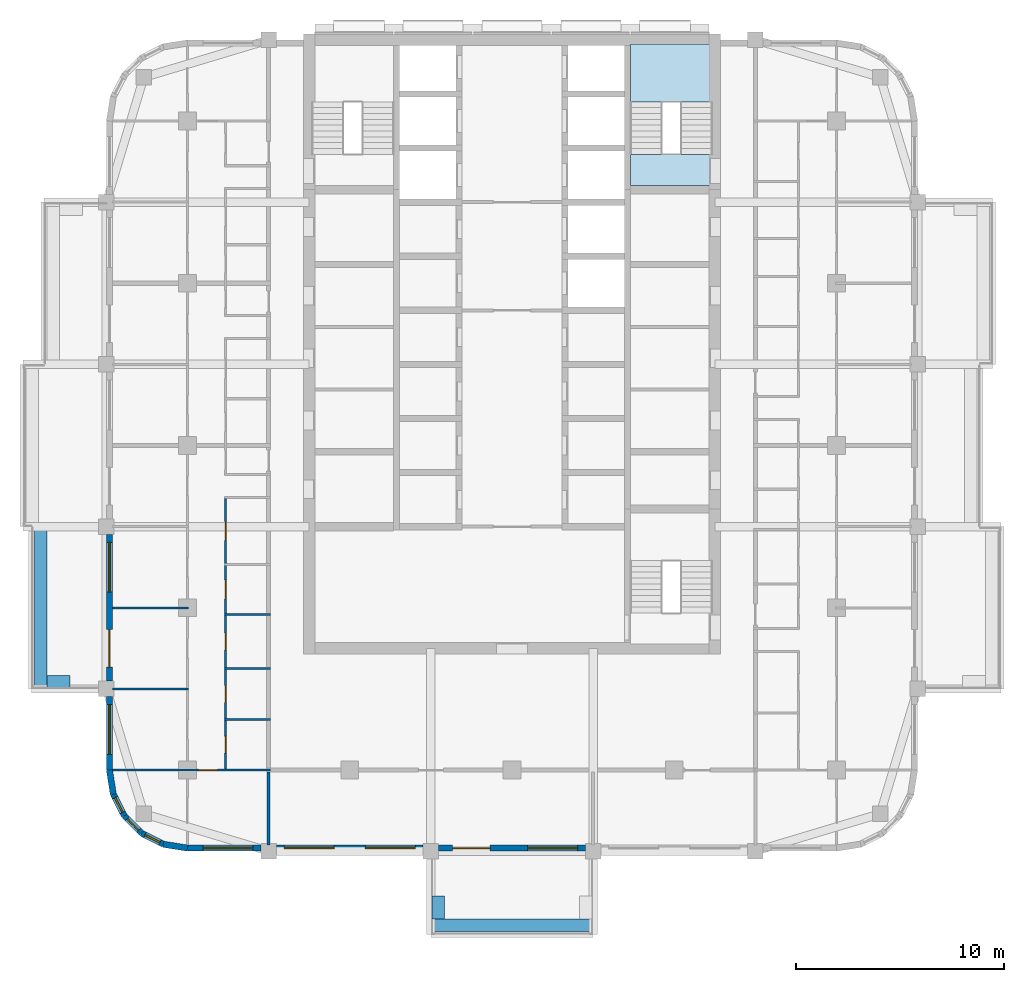
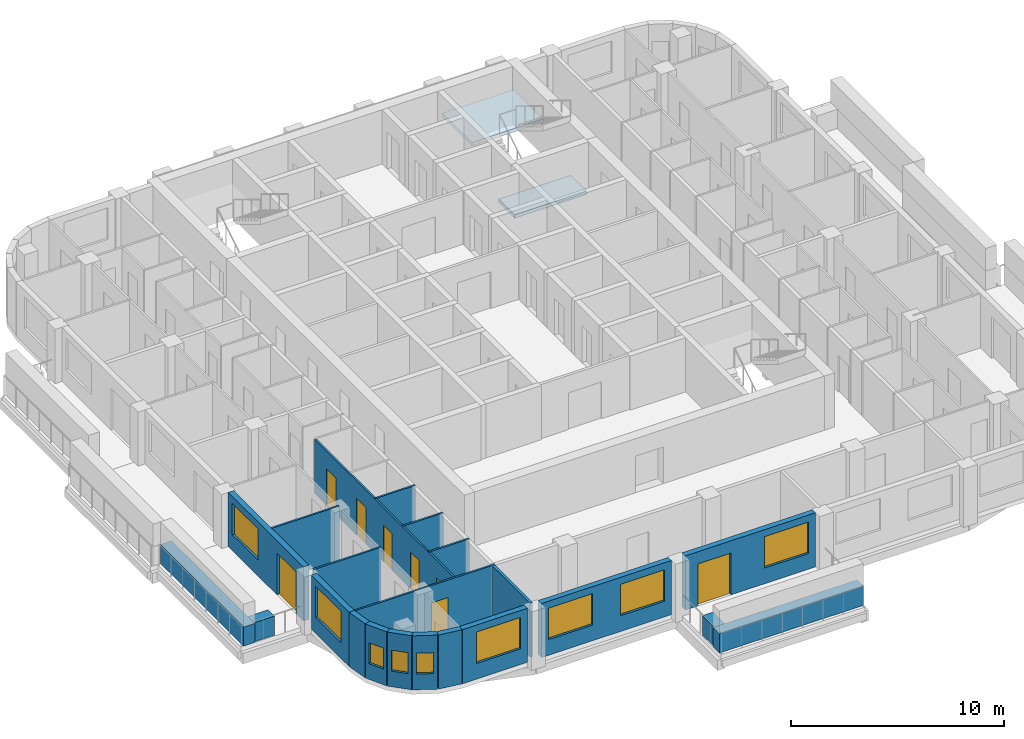
# One storey, part 2 of 13: 22 walls, 9 windows, 8 doors, 2 slabs, 17 openings, 1 element without a shape of its own.
"""IFC4 building model written with IfcOpenShell, lengths in metres."""

from ifc_helpers import new_model, si_unit, direction, frame, frame_2d, origin, place, context, subcontext, project, spatial, polyline, rectangle, outline, extrude, material, layer, layer_set, type_object, element, fill, aggregate, save


model = new_model("IFC4")

# Units and contexts
model_context = context("Model", 3, precision=1e-05, world=origin(), true_north=direction((0.0, 1.0)))
body_context = subcontext(model_context, "Body", "Model", "MODEL_VIEW")
ifc_project = project(units=[si_unit("LENGTHUNIT", "METRE"), si_unit("AREAUNIT", "SQUARE_METRE"), si_unit("VOLUMEUNIT", "CUBIC_METRE"), si_unit("PLANEANGLEUNIT", "RADIAN"), si_unit("MASSUNIT", "GRAM", prefix="KILO")], contexts=[model_context])

# Site, building, storey
site_placement = place(None, origin())
site = spatial("IfcSite", under=ifc_project, at=site_placement, CompositionType="ELEMENT")
building_placement = place(site_placement, origin())
building = spatial("IfcBuilding", under=site, at=building_placement, Name="Ludao Terraces", CompositionType="ELEMENT")
storey_placement = place(building_placement, frame((0.0, 0.0, 169.0)))
storey = spatial("IfcBuildingStorey", under=building, at=storey_placement, Name="L46", CompositionType="ELEMENT", Elevation=169.0)

# Stair, slabs
ifc_material_1 = material(Name="Concrete C40", Category="concrete")
stair_type = type_object("IfcStairType", Name="INT Stair", PredefinedType="HALF_TURN_STAIR", material=ifc_material_1)
stair_placement = place(storey_placement, origin())
stair = element("IfcStair", 1, at=stair_placement, inside=storey, type_object=stair_type, Name="EXIT STAIR 2", PredefinedType="HALF_TURN_STAIR")
ifc_layer_1 = layer(ifc_material_1, 0.199951171875)
ifc_layer_set_1 = layer_set([ifc_layer_1], Name="INT Stair landing 200")
slab_type = type_object("IfcSlabType", Name="INT Stair landing 200", PredefinedType="LANDING", material=ifc_layer_set_1)
slab_1_placement = place(storey_placement, frame((0.0, 0.0, 1.5)))
slab_1 = element("IfcSlab", 2, at=slab_1_placement, type_object=slab_type, Name="ST2 landing 1", PredefinedType="LANDING", context=body_context, shape_type="SweptSolid", body=[
    extrude(outline(polyline([(90.699951171875, 81.52001953125), (94.60009765625, 81.52001953125), (94.60009765625, 84.300048828125), (90.699951171875, 84.300048828125), (90.699951171875, 81.52001953125)])), origin(), (0.0, 0.0, 1.0), 0.199951171875),
])
slab_2_placement = place(storey_placement, frame((0.0, 0.0, -0.199951171875)))
slab_2 = element("IfcSlab", 3, at=slab_2_placement, type_object=slab_type, Name="ST2 landing 2", PredefinedType="LANDING", context=body_context, shape_type="SweptSolid", body=[
    extrude(outline(polyline([(90.699951171875, 77.5), (94.60009765625, 77.5), (94.60009765625, 79.0), (90.699951171875, 79.0), (90.699951171875, 77.5)])), origin(), (0.0, 0.0, 1.0), 0.199951171875),
])
aggregate(stair, [slab_1, slab_2])

# Walls
ifc_layer_2 = layer(ifc_material_1, 0.60009765625)
ifc_layer_set_2 = layer_set([ifc_layer_2], Name="ENV Planter trough 600")
wall_type_1 = type_object("IfcWallType", Name="ENV Planter trough 600", PredefinedType="USERDEFINED", material=ifc_layer_set_2)
wall_1_placement = place(storey_placement, frame((81.10009765625, 41.949951171875, 0.0), z_axis=(0.0, 0.0, 1.0), x_axis=(1.0, 0.0, 0.0)))
element("IfcWall", 4, at=wall_1_placement, inside=storey, type_object=wall_type_1, Name="PL-L46-S1", ObjectType="PLANTER", PredefinedType="USERDEFINED", context=body_context, shape_type="SweptSolid", body=[
    extrude(rectangle(XDim=7.7998046875, YDim=0.60009765625, at=frame_2d((3.89990234375, 0.0))), origin(), (0.0, 0.0, 1.0), 1.10009765625),
])
wall_2_placement = place(storey_placement, frame((81.449951171875, 42.25, 0.0), z_axis=(0.0, 0.0, 1.0), x_axis=(0.0, 1.0, 0.0)))
element("IfcWall", 5, at=wall_2_placement, inside=storey, type_object=wall_type_1, Name="PL-L46-S1-SA", ObjectType="PLANTER", PredefinedType="USERDEFINED", context=body_context, shape_type="SweptSolid", body=[
    extrude(rectangle(XDim=1.10009765625, YDim=0.60009765625, at=frame_2d((0.550048828125, 0.0))), origin(), (0.0, 0.0, 1.0), 1.10009765625),
])
wall_3_placement = place(storey_placement, frame((62.35009765625, 53.300048828125, 0.0), z_axis=(0.0, 0.0, 1.0), x_axis=(0.0, 1.0, 0.0)))
element("IfcWall", 6, at=wall_3_placement, inside=storey, type_object=wall_type_1, Name="PL-L46-W1", ObjectType="PLANTER", PredefinedType="USERDEFINED", context=body_context, shape_type="SweptSolid", body=[
    extrude(rectangle(XDim=7.800048828125, YDim=0.60009765625, at=frame_2d((3.89990234375, 0.0))), origin(), (0.0, 0.0, 1.0), 1.10009765625),
])
wall_4_placement = place(storey_placement, frame((62.64990234375, 53.64990234375, 0.0), z_axis=(0.0, 0.0, 1.0), x_axis=(1.0, 0.0, 0.0)))
element("IfcWall", 7, at=wall_4_placement, inside=storey, type_object=wall_type_1, Name="PL-L46-W1-SA", ObjectType="PLANTER", PredefinedType="USERDEFINED", context=body_context, shape_type="SweptSolid", body=[
    extrude(rectangle(XDim=1.10009765625, YDim=0.60009765625, at=frame_2d((0.550048828125, 0.0))), origin(), (0.0, 0.0, 1.0), 1.10009765625),
])

# Wall, opening, window
ifc_material_2 = material(Name="Granite cladding", Category="masonry")
ifc_layer_3 = layer(ifc_material_2, 0.0400390625, Category="stone")
ifc_material_3 = material(Name="Mineral wool")
ifc_layer_4 = layer(ifc_material_3, 0.06005859375)
ifc_layer_5 = layer(ifc_material_1, 0.199951171875, Category="concrete")
ifc_layer_set_3 = layer_set([ifc_layer_3, ifc_layer_4, ifc_layer_5], Name="ENV Stone-clad wall 300")
wall_type_2 = type_object("IfcWallType", Name="ENV Stone-clad wall 300", PredefinedType="SOLIDWALL", material=ifc_layer_set_3)
wall_5_placement = place(storey_placement, frame((69.39990234375, 45.64990234375, 0.0), z_axis=(0.0, 0.0, 1.0), x_axis=(1.0, 0.0, 0.0)))
wall_5 = element("IfcWall", 8, at=wall_5_placement, inside=storey, type_object=wall_type_2, Name="EW-L46-S1", PredefinedType="SOLIDWALL", context=body_context, shape_type="SweptSolid", body=[
    extrude(rectangle(XDim=3.525146484375, YDim=0.300048828125, at=frame_2d((1.7626953125, 0.0))), origin(), (0.0, 0.0, 1.0), 3.10009765625),
])
opening_1_placement = place(wall_5_placement, frame((0.75, 0.0, 0.89990234375)))
opening_1 = element("IfcOpeningElement", 9, at=opening_1_placement, cuts=wall_5, Name="Opening W1", PredefinedType="OPENING", context=body_context, shape_type="SweptSolid", body=[
    extrude(rectangle(XDim=2.39990234375, YDim=1.800048828125, at=frame_2d((1.199951171875, 0.89990234375))), frame((0.0, 0.16015625, 0.0), z_axis=(0.0, -1.0, 0.0), x_axis=(1.0, 0.0, 0.0)), (0.0, 0.0, 1.0), 0.320068359375),
])
ifc_material_4 = material(Name="Clear glass in aluminium frame", Category="aluminium")
ifc_layer_6 = layer(ifc_material_4, 0.06005859375)
ifc_layer_set_4 = layer_set([ifc_layer_6], Name="ENV Window W1 2400x1800")
window_type_1 = type_object("IfcWindowType", Name="ENV Window W1 2400x1800", PartitioningType="DOUBLE_PANEL_VERTICAL", PredefinedType="WINDOW", material=ifc_layer_set_4)
window_1_placement = place(opening_1_placement, origin())
window_1 = element("IfcWindow", 10, at=window_1_placement, inside=storey, type_object=window_type_1, Name="W-L46-S1-1", OverallHeight=1.800048828125, OverallWidth=2.39990234375, PartitioningType="DOUBLE_PANEL_VERTICAL", PredefinedType="WINDOW", context=body_context, shape_type="SweptSolid", body=[
    extrude(rectangle(XDim=2.39990234375, YDim=1.800048828125, at=frame_2d((1.199951171875, 0.89990234375))), frame((0.0, 0.030029296875, 0.0), z_axis=(0.0, -1.0, 0.0), x_axis=(1.0, 0.0, 0.0)), (0.0, 0.0, 1.0), 0.06005859375),
])
fill(opening_1, window_1)

# Wall, openings, windows
wall_6_placement = place(storey_placement, frame((73.675048828125, 45.64990234375, 0.0), z_axis=(0.0, 0.0, 1.0), x_axis=(1.0, 0.0, 0.0)))
wall_6 = element("IfcWall", 11, at=wall_6_placement, inside=storey, type_object=wall_type_2, Name="EW-L46-S2", PredefinedType="SOLIDWALL", context=body_context, shape_type="SweptSolid", body=[
    extrude(rectangle(XDim=7.050048828125, YDim=0.300048828125, at=frame_2d((3.52490234375, 0.0))), origin(), (0.0, 0.0, 1.0), 3.10009765625),
])
opening_2_placement = place(wall_6_placement, frame((0.375, 0.0, 0.89990234375)))
opening_2 = element("IfcOpeningElement", 12, at=opening_2_placement, cuts=wall_6, Name="Opening W1", PredefinedType="OPENING", context=body_context, shape_type="SweptSolid", body=[
    extrude(rectangle(XDim=2.39990234375, YDim=1.800048828125, at=frame_2d((1.199951171875, 0.89990234375))), frame((0.0, 0.16015625, 0.0), z_axis=(0.0, -1.0, 0.0), x_axis=(1.0, 0.0, 0.0)), (0.0, 0.0, 1.0), 0.320068359375),
])
opening_3_placement = place(wall_6_placement, frame((4.27490234375, 0.0, 0.89990234375)))
opening_3 = element("IfcOpeningElement", 13, at=opening_3_placement, cuts=wall_6, Name="Opening W1", PredefinedType="OPENING", context=body_context, shape_type="SweptSolid", body=[
    extrude(rectangle(XDim=2.39990234375, YDim=1.800048828125, at=frame_2d((1.199951171875, 0.89990234375))), frame((0.0, 0.16015625, 0.0), z_axis=(0.0, -1.0, 0.0), x_axis=(1.0, 0.0, 0.0)), (0.0, 0.0, 1.0), 0.320068359375),
])
window_2_placement = place(opening_2_placement, origin())
window_2 = element("IfcWindow", 14, at=window_2_placement, inside=storey, type_object=window_type_1, Name="W-L46-S2-1", OverallHeight=1.800048828125, OverallWidth=2.39990234375, PartitioningType="DOUBLE_PANEL_VERTICAL", PredefinedType="WINDOW", context=body_context, shape_type="SweptSolid", body=[
    extrude(rectangle(XDim=2.39990234375, YDim=1.800048828125, at=frame_2d((1.199951171875, 0.89990234375))), frame((0.0, 0.030029296875, 0.0), z_axis=(0.0, -1.0, 0.0), x_axis=(1.0, 0.0, 0.0)), (0.0, 0.0, 1.0), 0.06005859375),
])
fill(opening_2, window_2)
window_3_placement = place(opening_3_placement, origin())
window_3 = element("IfcWindow", 15, at=window_3_placement, inside=storey, type_object=window_type_1, Name="W-L46-S2-2", OverallHeight=1.800048828125, OverallWidth=2.39990234375, PartitioningType="DOUBLE_PANEL_VERTICAL", PredefinedType="WINDOW", context=body_context, shape_type="SweptSolid", body=[
    extrude(rectangle(XDim=2.39990234375, YDim=1.800048828125, at=frame_2d((1.199951171875, 0.89990234375))), frame((0.0, 0.030029296875, 0.0), z_axis=(0.0, -1.0, 0.0), x_axis=(1.0, 0.0, 0.0)), (0.0, 0.0, 1.0), 0.06005859375),
])
fill(opening_3, window_3)

# Wall, openings, door, window
wall_7_placement = place(storey_placement, frame((81.47509765625, 45.64990234375, 0.0), z_axis=(0.0, 0.0, 1.0), x_axis=(1.0, 0.0, 0.0)))
wall_7 = element("IfcWall", 16, at=wall_7_placement, inside=storey, type_object=wall_type_2, Name="EW-L46-S3", PredefinedType="SOLIDWALL", context=body_context, shape_type="SweptSolid", body=[
    extrude(rectangle(XDim=7.0498046875, YDim=0.300048828125, at=frame_2d((3.52490234375, 0.0))), origin(), (0.0, 0.0, 1.0), 3.10009765625),
])
opening_4_placement = place(wall_7_placement, frame((0.675048828125, 0.0, 0.0)))
opening_4 = element("IfcOpeningElement", 17, at=opening_4_placement, cuts=wall_7, Name="Opening BD", PredefinedType="OPENING", context=body_context, shape_type="SweptSolid", body=[
    extrude(rectangle(XDim=1.800048828125, YDim=2.39990234375, at=frame_2d((0.89990234375, 1.199951171875))), frame((0.0, 0.16015625, 0.0), z_axis=(0.0, -1.0, 0.0), x_axis=(1.0, 0.0, 0.0)), (0.0, 0.0, 1.0), 0.320068359375),
])
opening_5_placement = place(wall_7_placement, frame((4.27490234375, 0.0, 0.89990234375)))
opening_5 = element("IfcOpeningElement", 18, at=opening_5_placement, cuts=wall_7, Name="Opening W1", PredefinedType="OPENING", context=body_context, shape_type="SweptSolid", body=[
    extrude(rectangle(XDim=2.39990234375, YDim=1.800048828125, at=frame_2d((1.199951171875, 0.89990234375))), frame((0.0, 0.16015625, 0.0), z_axis=(0.0, -1.0, 0.0), x_axis=(1.0, 0.0, 0.0)), (0.0, 0.0, 1.0), 0.320068359375),
])
ifc_material_5 = material(Name="Aluminium glazed door", Category="aluminium")
ifc_layer_7 = layer(ifc_material_5, 0.06005859375)
ifc_layer_set_5 = layer_set([ifc_layer_7], Name="ENV Balcony door BD 1800x2400")
door_type_1 = type_object("IfcDoorType", Name="ENV Balcony door BD 1800x2400", OperationType="DOUBLE_DOOR_SINGLE_SWING", PredefinedType="DOOR", material=ifc_layer_set_5)
door_1_placement = place(opening_4_placement, origin())
door_1 = element("IfcDoor", 19, at=door_1_placement, inside=storey, type_object=door_type_1, Name="BD-L46-S3-1", OperationType="DOUBLE_DOOR_SINGLE_SWING", OverallHeight=2.39990234375, OverallWidth=1.800048828125, PredefinedType="DOOR", context=body_context, shape_type="SweptSolid", body=[
    extrude(rectangle(XDim=1.800048828125, YDim=2.39990234375, at=frame_2d((0.89990234375, 1.199951171875))), frame((0.0, 0.02490234375, 0.0), z_axis=(0.0, -1.0, 0.0), x_axis=(1.0, 0.0, 0.0)), (0.0, 0.0, 1.0), 0.050048828125),
])
fill(opening_4, door_1)
window_4_placement = place(opening_5_placement, origin())
window_4 = element("IfcWindow", 20, at=window_4_placement, inside=storey, type_object=window_type_1, Name="W-L46-S3-2", OverallHeight=1.800048828125, OverallWidth=2.39990234375, PartitioningType="DOUBLE_PANEL_VERTICAL", PredefinedType="WINDOW", context=body_context, shape_type="SweptSolid", body=[
    extrude(rectangle(XDim=2.39990234375, YDim=1.800048828125, at=frame_2d((1.199951171875, 0.89990234375))), frame((0.0, 0.030029296875, 0.0), z_axis=(0.0, -1.0, 0.0), x_axis=(1.0, 0.0, 0.0)), (0.0, 0.0, 1.0), 0.06005859375),
])
fill(opening_5, window_4)

# Wall, opening, window
wall_8_placement = place(storey_placement, frame((65.64990234375, 49.39990234375, 0.0), z_axis=(0.0, 0.0, 1.0), x_axis=(0.0, 1.0, 0.0)))
wall_8 = element("IfcWall", 21, at=wall_8_placement, inside=storey, type_object=wall_type_2, Name="EW-L46-W1", PredefinedType="SOLIDWALL", context=body_context, shape_type="SweptSolid", body=[
    extrude(rectangle(XDim=3.525146484375, YDim=0.300048828125, at=frame_2d((1.7626953125, 0.0))), origin(), (0.0, 0.0, 1.0), 3.10009765625),
])
opening_6_placement = place(wall_8_placement, frame((0.75, 0.0, 0.89990234375)))
opening_6 = element("IfcOpeningElement", 22, at=opening_6_placement, cuts=wall_8, Name="Opening W1", PredefinedType="OPENING", context=body_context, shape_type="SweptSolid", body=[
    extrude(rectangle(XDim=2.39990234375, YDim=1.800048828125, at=frame_2d((1.199951171875, 0.89990234375))), frame((0.0, 0.16015625, 0.0), z_axis=(0.0, -1.0, 0.0), x_axis=(1.0, 0.0, 0.0)), (0.0, 0.0, 1.0), 0.320068359375),
])
window_5_placement = place(opening_6_placement, origin())
window_5 = element("IfcWindow", 23, at=window_5_placement, inside=storey, type_object=window_type_1, Name="W-L46-W1-1", OverallHeight=1.800048828125, OverallWidth=2.39990234375, PartitioningType="DOUBLE_PANEL_VERTICAL", PredefinedType="WINDOW", context=body_context, shape_type="SweptSolid", body=[
    extrude(rectangle(XDim=2.39990234375, YDim=1.800048828125, at=frame_2d((1.199951171875, 0.89990234375))), frame((0.0, 0.030029296875, 0.0), z_axis=(0.0, -1.0, 0.0), x_axis=(1.0, 0.0, 0.0)), (0.0, 0.0, 1.0), 0.06005859375),
])
fill(opening_6, window_5)

# Wall, openings, door, window
wall_9_placement = place(storey_placement, frame((65.64990234375, 53.675048828125, 0.0), z_axis=(0.0, 0.0, 1.0), x_axis=(0.0, 1.0, 0.0)))
wall_9 = element("IfcWall", 24, at=wall_9_placement, inside=storey, type_object=wall_type_2, Name="EW-L46-W2", PredefinedType="SOLIDWALL", context=body_context, shape_type="SweptSolid", body=[
    extrude(rectangle(XDim=7.050048828125, YDim=0.300048828125, at=frame_2d((3.52490234375, 0.0))), origin(), (0.0, 0.0, 1.0), 3.10009765625),
])
opening_7_placement = place(wall_9_placement, frame((0.675048828125, 0.0, 0.0)))
opening_7 = element("IfcOpeningElement", 25, at=opening_7_placement, cuts=wall_9, Name="Opening BD", PredefinedType="OPENING", context=body_context, shape_type="SweptSolid", body=[
    extrude(rectangle(XDim=1.800048828125, YDim=2.39990234375, at=frame_2d((0.89990234375, 1.199951171875))), frame((0.0, 0.16015625, 0.0), z_axis=(0.0, -1.0, 0.0), x_axis=(1.0, 0.0, 0.0)), (0.0, 0.0, 1.0), 0.320068359375),
])
opening_8_placement = place(wall_9_placement, frame((4.27490234375, 0.0, 0.89990234375)))
opening_8 = element("IfcOpeningElement", 26, at=opening_8_placement, cuts=wall_9, Name="Opening W1", PredefinedType="OPENING", context=body_context, shape_type="SweptSolid", body=[
    extrude(rectangle(XDim=2.39990234375, YDim=1.800048828125, at=frame_2d((1.199951171875, 0.89990234375))), frame((0.0, 0.16015625, 0.0), z_axis=(0.0, -1.0, 0.0), x_axis=(1.0, 0.0, 0.0)), (0.0, 0.0, 1.0), 0.320068359375),
])
door_2_placement = place(opening_7_placement, origin())
door_2 = element("IfcDoor", 27, at=door_2_placement, inside=storey, type_object=door_type_1, Name="BD-L46-W2-1", OperationType="DOUBLE_DOOR_SINGLE_SWING", OverallHeight=2.39990234375, OverallWidth=1.800048828125, PredefinedType="DOOR", context=body_context, shape_type="SweptSolid", body=[
    extrude(rectangle(XDim=1.800048828125, YDim=2.39990234375, at=frame_2d((0.89990234375, 1.199951171875))), frame((0.0, 0.02490234375, 0.0), z_axis=(0.0, -1.0, 0.0), x_axis=(1.0, 0.0, 0.0)), (0.0, 0.0, 1.0), 0.050048828125),
])
fill(opening_7, door_2)
window_6_placement = place(opening_8_placement, origin())
window_6 = element("IfcWindow", 28, at=window_6_placement, inside=storey, type_object=window_type_1, Name="W-L46-W2-2", OverallHeight=1.800048828125, OverallWidth=2.39990234375, PartitioningType="DOUBLE_PANEL_VERTICAL", PredefinedType="WINDOW", context=body_context, shape_type="SweptSolid", body=[
    extrude(rectangle(XDim=2.39990234375, YDim=1.800048828125, at=frame_2d((1.199951171875, 0.89990234375))), frame((0.0, 0.030029296875, 0.0), z_axis=(0.0, -1.0, 0.0), x_axis=(1.0, 0.0, 0.0)), (0.0, 0.0, 1.0), 0.06005859375),
])
fill(opening_8, window_6)

# Wall
wall_10_placement = place(storey_placement, frame((65.64990234375, 49.39990234375, 0.0), z_axis=(0.0, 0.0, 1.0), x_axis=(0.156496880861, -0.987678452879, 0.0)))
element("IfcWall", 29, at=wall_10_placement, inside=storey, type_object=wall_type_2, Name="EW-L46-SW1", PredefinedType="SOLIDWALL", context=body_context, shape_type="SweptSolid", body=[
    extrude(rectangle(XDim=1.173095703125, YDim=0.300048828125, at=frame_2d((0.58642578125, 0.0))), origin(), (0.0, 0.0, 1.0), 3.10009765625),
])

# Wall, opening, window
wall_11_placement = place(storey_placement, frame((65.83349609375, 48.2412109375, 0.0), z_axis=(0.0, 0.0, 1.0), x_axis=(0.454025524128, -0.890988677504, 0.0)))
wall_11 = element("IfcWall", 30, at=wall_11_placement, inside=storey, type_object=wall_type_2, Name="EW-L46-SW2", PredefinedType="SOLIDWALL", context=body_context, shape_type="SweptSolid", body=[
    extrude(rectangle(XDim=1.17333984375, YDim=0.300048828125, at=frame_2d((0.586669921875, 0.0))), origin(), (0.0, 0.0, 1.0), 3.10009765625),
])
opening_9_placement = place(wall_11_placement, frame((0.1865234375, 0.0, 0.89990234375)))
opening_9 = element("IfcOpeningElement", 31, at=opening_9_placement, cuts=wall_11, Name="Opening W3", PredefinedType="OPENING", context=body_context, shape_type="SweptSolid", body=[
    extrude(rectangle(XDim=0.800048828125, YDim=1.199951171875, at=frame_2d((0.39990234375, 0.60009765625))), frame((0.0, 0.16015625, 0.0), z_axis=(0.0, -1.0, 0.0), x_axis=(1.0, 0.0, 0.0)), (0.0, 0.0, 1.0), 0.320068359375),
])
ifc_layer_8 = layer(ifc_material_4, 0.06005859375)
ifc_layer_set_6 = layer_set([ifc_layer_8], Name="ENV Window W3 800x1200")
window_type_2 = type_object("IfcWindowType", Name="ENV Window W3 800x1200", PartitioningType="SINGLE_PANEL", PredefinedType="WINDOW", material=ifc_layer_set_6)
window_7_placement = place(opening_9_placement, origin())
window_7 = element("IfcWindow", 32, at=window_7_placement, inside=storey, type_object=window_type_2, Name="W-L46-SW2", OverallHeight=1.199951171875, OverallWidth=0.800048828125, PartitioningType="SINGLE_PANEL", PredefinedType="WINDOW", context=body_context, shape_type="SweptSolid", body=[
    extrude(rectangle(XDim=0.800048828125, YDim=1.199951171875, at=frame_2d((0.39990234375, 0.60009765625))), frame((0.0, 0.030029296875, 0.0), z_axis=(0.0, -1.0, 0.0), x_axis=(1.0, 0.0, 0.0)), (0.0, 0.0, 1.0), 0.06005859375),
])
fill(opening_9, window_7)

wall_12_placement = place(storey_placement, frame((66.3662109375, 47.19580078125, 0.0), z_axis=(0.0, 0.0, 1.0), x_axis=(0.707106781187, -0.707106781187, 0.0)))
wall_12 = element("IfcWall", 33, at=wall_12_placement, inside=storey, type_object=wall_type_2, Name="EW-L46-SW3", PredefinedType="SOLIDWALL", context=body_context, shape_type="SweptSolid", body=[
    extrude(rectangle(XDim=1.173095703125, YDim=0.300048828125, at=frame_2d((0.58642578125, 0.0))), origin(), (0.0, 0.0, 1.0), 3.10009765625),
])
opening_10_placement = place(wall_12_placement, frame((0.1865234375, 0.0, 0.89990234375)))
opening_10 = element("IfcOpeningElement", 34, at=opening_10_placement, cuts=wall_12, Name="Opening W3", PredefinedType="OPENING", context=body_context, shape_type="SweptSolid", body=[
    extrude(rectangle(XDim=0.800048828125, YDim=1.199951171875, at=frame_2d((0.39990234375, 0.60009765625))), frame((0.0, 0.16015625, 0.0), z_axis=(0.0, -1.0, 0.0), x_axis=(1.0, 0.0, 0.0)), (0.0, 0.0, 1.0), 0.320068359375),
])
window_8_placement = place(opening_10_placement, origin())
window_8 = element("IfcWindow", 35, at=window_8_placement, inside=storey, type_object=window_type_2, Name="W-L46-SW3", OverallHeight=1.199951171875, OverallWidth=0.800048828125, PartitioningType="SINGLE_PANEL", PredefinedType="WINDOW", context=body_context, shape_type="SweptSolid", body=[
    extrude(rectangle(XDim=0.800048828125, YDim=1.199951171875, at=frame_2d((0.39990234375, 0.60009765625))), frame((0.0, 0.030029296875, 0.0), z_axis=(0.0, -1.0, 0.0), x_axis=(1.0, 0.0, 0.0)), (0.0, 0.0, 1.0), 0.06005859375),
])
fill(opening_10, window_8)

wall_13_placement = place(storey_placement, frame((67.19580078125, 46.3662109375, 0.0), z_axis=(0.0, 0.0, 1.0), x_axis=(0.890988677504, -0.454025524128, 0.0)))
wall_13 = element("IfcWall", 36, at=wall_13_placement, inside=storey, type_object=wall_type_2, Name="EW-L46-SW4", PredefinedType="SOLIDWALL", context=body_context, shape_type="SweptSolid", body=[
    extrude(rectangle(XDim=1.17333984375, YDim=0.300048828125, at=frame_2d((0.586669921875, 0.0))), origin(), (0.0, 0.0, 1.0), 3.10009765625),
])
opening_11_placement = place(wall_13_placement, frame((0.1865234375, 0.0, 0.89990234375)))
opening_11 = element("IfcOpeningElement", 37, at=opening_11_placement, cuts=wall_13, Name="Opening W3", PredefinedType="OPENING", context=body_context, shape_type="SweptSolid", body=[
    extrude(rectangle(XDim=0.800048828125, YDim=1.199951171875, at=frame_2d((0.39990234375, 0.60009765625))), frame((0.0, 0.16015625, 0.0), z_axis=(0.0, -1.0, 0.0), x_axis=(1.0, 0.0, 0.0)), (0.0, 0.0, 1.0), 0.320068359375),
])
window_9_placement = place(opening_11_placement, origin())
window_9 = element("IfcWindow", 38, at=window_9_placement, inside=storey, type_object=window_type_2, Name="W-L46-SW4", OverallHeight=1.199951171875, OverallWidth=0.800048828125, PartitioningType="SINGLE_PANEL", PredefinedType="WINDOW", context=body_context, shape_type="SweptSolid", body=[
    extrude(rectangle(XDim=0.800048828125, YDim=1.199951171875, at=frame_2d((0.39990234375, 0.60009765625))), frame((0.0, 0.030029296875, 0.0), z_axis=(0.0, -1.0, 0.0), x_axis=(1.0, 0.0, 0.0)), (0.0, 0.0, 1.0), 0.06005859375),
])
fill(opening_11, window_9)

# Wall
wall_14_placement = place(storey_placement, frame((68.2412109375, 45.83349609375, 0.0), z_axis=(0.0, 0.0, 1.0), x_axis=(0.987678452879, -0.156496880861, 0.0)))
element("IfcWall", 39, at=wall_14_placement, inside=storey, type_object=wall_type_2, Name="EW-L46-SW5", PredefinedType="SOLIDWALL", context=body_context, shape_type="SweptSolid", body=[
    extrude(rectangle(XDim=1.173095703125, YDim=0.300048828125, at=frame_2d((0.58642578125, 0.0))), origin(), (0.0, 0.0, 1.0), 3.10009765625),
])

# Wall, opening, door
ifc_material_6 = material(Name="Gypsum plasterboard", Category="gypsum")
ifc_layer_9 = layer(ifc_material_6, 0.012451171875, Category="gypsum")
ifc_layer_10 = layer(ifc_material_3, 0.06005859375, Name="insulation")
ifc_material_7 = material(Name="Steel Q235", Category="steel")
ifc_layer_11 = layer(ifc_material_7, 0.014892578125, Name="stud")
ifc_layer_12 = layer(ifc_material_6, 0.012451171875, Category="gypsum")
ifc_layer_set_7 = layer_set([ifc_layer_9, ifc_layer_10, ifc_layer_11, ifc_layer_12], Name="INT Partition 100")
wall_type_3 = type_object("IfcWallType", Name="INT Partition 100", PredefinedType="PARTITIONING", material=ifc_layer_set_7)
wall_15_placement = place(storey_placement, frame((65.800048828125, 49.39990234375, 0.0), z_axis=(0.0, 0.0, 1.0), x_axis=(1.0, 0.0, 0.0)))
wall_15 = element("IfcWall", 40, at=wall_15_placement, inside=storey, type_object=wall_type_3, Name="PW-L46-PW000", PredefinedType="PARTITIONING", context=body_context, shape_type="SweptSolid", body=[
    extrude(rectangle(XDim=7.60009765625, YDim=0.10009765625, at=frame_2d((3.800048828125, 0.0))), origin(), (0.0, 0.0, 1.0), 3.10009765625),
])
opening_12_placement = place(wall_15_placement, frame((4.139892578125, 0.0, 0.0)))
opening_12 = element("IfcOpeningElement", 41, at=opening_12_placement, cuts=wall_15, Name="Opening R16-003", PredefinedType="OPENING", context=body_context, shape_type="SweptSolid", body=[
    extrude(rectangle(XDim=0.89990234375, YDim=2.10009765625, at=frame_2d((0.449951171875, 1.050048828125))), frame((0.0, 0.06005859375, 0.0), z_axis=(0.0, -1.0, 0.0), x_axis=(1.0, 0.0, 0.0)), (0.0, 0.0, 1.0), 0.1201171875),
])
ifc_material_8 = material(Name="Timber door leaf", Category="wood")
door_type_2 = type_object("IfcDoorType", Name="INT Room door 900", OperationType="SINGLE_SWING_LEFT", PredefinedType="DOOR", material=ifc_material_8)
door_3_placement = place(opening_12_placement, origin())
door_3 = element("IfcDoor", 42, at=door_3_placement, inside=storey, type_object=door_type_2, Name="DOOR 003", OperationType="SINGLE_SWING_RIGHT", OverallHeight=2.10009765625, OverallWidth=0.89990234375, PredefinedType="DOOR", context=body_context, shape_type="SweptSolid", body=[
    extrude(rectangle(XDim=0.89990234375, YDim=2.10009765625, at=frame_2d((0.449951171875, 1.050048828125))), frame((0.0, 0.02490234375, 0.0), z_axis=(0.0, -1.0, 0.0), x_axis=(1.0, 0.0, 0.0)), (0.0, 0.0, 1.0), 0.050048828125),
])
fill(opening_12, door_3)

# Walls
wall_16_placement = place(storey_placement, frame((71.18017578125, 51.830078125, 0.0), z_axis=(0.0, 0.0, 1.0), x_axis=(1.0, 0.0, 0.0)))
element("IfcWall", 43, at=wall_16_placement, inside=storey, type_object=wall_type_3, Name="PW-L46-PW003", PredefinedType="PARTITIONING", context=body_context, shape_type="SweptSolid", body=[
    extrude(rectangle(XDim=2.219970703125, YDim=0.10009765625, at=frame_2d((1.10986328125, 0.0))), origin(), (0.0, 0.0, 1.0), 3.10009765625),
])
wall_17_placement = place(storey_placement, frame((65.800048828125, 53.300048828125, 0.0), z_axis=(0.0, 0.0, 1.0), x_axis=(1.0, 0.0, 0.0)))
element("IfcWall", 44, at=wall_17_placement, inside=storey, type_object=wall_type_3, Name="PW-L46-PW005", PredefinedType="PARTITIONING", context=body_context, shape_type="SweptSolid", body=[
    extrude(rectangle(XDim=3.650146484375, YDim=0.10009765625, at=frame_2d((1.8251953125, 0.0))), origin(), (0.0, 0.0, 1.0), 3.10009765625),
])
for number, where, z_axis, x_axis, name in (
    (45, (71.18017578125, 54.280029296875, 0.0), (0.0, 0.0, 1.0), (1.0, 0.0, 0.0), "PW-L46-PW006"),
    (46, (71.18017578125, 56.8798828125, 0.0), (0.0, 0.0, 1.0), (1.0, 0.0, 0.0), "PW-L46-PW009"),
):
    element("IfcWall", number, at=place(storey_placement, frame(where, z_axis=z_axis, x_axis=x_axis)), inside=storey, type_object=wall_type_3, Name=name, PredefinedType="PARTITIONING", context=body_context, shape_type="SweptSolid", body=[
        extrude(rectangle(XDim=2.219970703125, YDim=0.10009765625, at=frame_2d((1.10986328125, 0.0))), origin(), (0.0, 0.0, 1.0), 3.10009765625),
    ])
wall_18_placement = place(storey_placement, frame((65.800048828125, 57.199951171875, 0.0), z_axis=(0.0, 0.0, 1.0), x_axis=(1.0, 0.0, 0.0)))
element("IfcWall", 47, at=wall_18_placement, inside=storey, type_object=wall_type_3, Name="PW-L46-PW010", PredefinedType="PARTITIONING", context=body_context, shape_type="SweptSolid", body=[
    extrude(rectangle(XDim=3.650146484375, YDim=0.10009765625, at=frame_2d((1.8251953125, 0.0))), origin(), (0.0, 0.0, 1.0), 3.10009765625),
])

# Wall, openings, doors
wall_19_placement = place(storey_placement, frame((71.22998046875, 49.4501953125, 0.0), z_axis=(0.0, 0.0, 1.0), x_axis=(0.0, 1.0, 0.0)))
wall_19 = element("IfcWall", 48, at=wall_19_placement, inside=storey, type_object=wall_type_3, Name="PW-L46-PW050", PredefinedType="PARTITIONING", context=body_context, shape_type="SweptSolid", body=[
    extrude(rectangle(XDim=13.0, YDim=0.10009765625, at=frame_2d((6.5, 0.0))), origin(), (0.0, 0.0, 1.0), 3.10009765625),
])
opening_13_placement = place(wall_19_placement, frame((0.764892578125, 0.0, 0.0)))
opening_13 = element("IfcOpeningElement", 49, at=opening_13_placement, cuts=wall_19, Name="Opening R16-007", PredefinedType="OPENING", context=body_context, shape_type="SweptSolid", body=[
    extrude(rectangle(XDim=0.800048828125, YDim=2.10009765625, at=frame_2d((0.39990234375, 1.050048828125))), frame((0.0, 0.06005859375, 0.0), z_axis=(0.0, -1.0, 0.0), x_axis=(1.0, 0.0, 0.0)), (0.0, 0.0, 1.0), 0.1201171875),
])
opening_14_placement = place(wall_19_placement, frame((3.204833984375, 0.0, 0.0)))
opening_14 = element("IfcOpeningElement", 50, at=opening_14_placement, cuts=wall_19, Name="Opening R16-010", PredefinedType="OPENING", context=body_context, shape_type="SweptSolid", body=[
    extrude(rectangle(XDim=0.800048828125, YDim=2.10009765625, at=frame_2d((0.39990234375, 1.050048828125))), frame((0.0, 0.06005859375, 0.0), z_axis=(0.0, -1.0, 0.0), x_axis=(1.0, 0.0, 0.0)), (0.0, 0.0, 1.0), 0.1201171875),
])
opening_15_placement = place(wall_19_placement, frame((5.72998046875, 0.0, 0.0)))
opening_15 = element("IfcOpeningElement", 51, at=opening_15_placement, cuts=wall_19, Name="Opening R16-015", PredefinedType="OPENING", context=body_context, shape_type="SweptSolid", body=[
    extrude(rectangle(XDim=0.800048828125, YDim=2.10009765625, at=frame_2d((0.39990234375, 1.050048828125))), frame((0.0, 0.06005859375, 0.0), z_axis=(0.0, -1.0, 0.0), x_axis=(1.0, 0.0, 0.0)), (0.0, 0.0, 1.0), 0.1201171875),
])
opening_16_placement = place(wall_19_placement, frame((8.179931640625, 0.0, 0.0)))
opening_16 = element("IfcOpeningElement", 52, at=opening_16_placement, cuts=wall_19, Name="Opening R16-020", PredefinedType="OPENING", context=body_context, shape_type="SweptSolid", body=[
    extrude(rectangle(XDim=0.89990234375, YDim=2.10009765625, at=frame_2d((0.449951171875, 1.050048828125))), frame((0.0, 0.06005859375, 0.0), z_axis=(0.0, -1.0, 0.0), x_axis=(1.0, 0.0, 0.0)), (0.0, 0.0, 1.0), 0.1201171875),
])
opening_17_placement = place(wall_19_placement, frame((10.989990234375, 0.0, 0.0)))
opening_17 = element("IfcOpeningElement", 53, at=opening_17_placement, cuts=wall_19, Name="Opening R16-024", PredefinedType="OPENING", context=body_context, shape_type="SweptSolid", body=[
    extrude(rectangle(XDim=0.89990234375, YDim=2.10009765625, at=frame_2d((0.449951171875, 1.050048828125))), frame((0.0, 0.06005859375, 0.0), z_axis=(0.0, -1.0, 0.0), x_axis=(1.0, 0.0, 0.0)), (0.0, 0.0, 1.0), 0.1201171875),
])
door_type_3 = type_object("IfcDoorType", Name="INT Bathroom door 900", OperationType="SINGLE_SWING_LEFT", PredefinedType="DOOR", material=ifc_material_8)
door_4_placement = place(opening_16_placement, origin())
door_4 = element("IfcDoor", 54, at=door_4_placement, inside=storey, type_object=door_type_3, Name="DOOR 020", OperationType="SINGLE_SWING_RIGHT", OverallHeight=2.10009765625, OverallWidth=0.89990234375, PredefinedType="DOOR", context=body_context, shape_type="SweptSolid", body=[
    extrude(rectangle(XDim=0.89990234375, YDim=2.10009765625, at=frame_2d((0.449951171875, 1.050048828125))), frame((0.0, 0.02490234375, 0.0), z_axis=(0.0, -1.0, 0.0), x_axis=(1.0, 0.0, 0.0)), (0.0, 0.0, 1.0), 0.050048828125),
])
fill(opening_16, door_4)
door_5_placement = place(opening_17_placement, origin())
door_5 = element("IfcDoor", 55, at=door_5_placement, inside=storey, type_object=door_type_2, Name="DOOR 024", OperationType="SINGLE_SWING_RIGHT", OverallHeight=2.10009765625, OverallWidth=0.89990234375, PredefinedType="DOOR", context=body_context, shape_type="SweptSolid", body=[
    extrude(rectangle(XDim=0.89990234375, YDim=2.10009765625, at=frame_2d((0.449951171875, 1.050048828125))), frame((0.0, 0.02490234375, 0.0), z_axis=(0.0, -1.0, 0.0), x_axis=(1.0, 0.0, 0.0)), (0.0, 0.0, 1.0), 0.050048828125),
])
fill(opening_17, door_5)
door_type_4 = type_object("IfcDoorType", Name="INT Store door 800", OperationType="SINGLE_SWING_LEFT", PredefinedType="DOOR", material=ifc_material_8)
door_6_placement = place(opening_13_placement, origin())
door_6 = element("IfcDoor", 56, at=door_6_placement, inside=storey, type_object=door_type_4, Name="DOOR 007", OperationType="SINGLE_SWING_RIGHT", OverallHeight=2.10009765625, OverallWidth=0.800048828125, PredefinedType="DOOR", context=body_context, shape_type="SweptSolid", body=[
    extrude(rectangle(XDim=0.800048828125, YDim=2.10009765625, at=frame_2d((0.39990234375, 1.050048828125))), frame((0.0, 0.02490234375, 0.0), z_axis=(0.0, -1.0, 0.0), x_axis=(1.0, 0.0, 0.0)), (0.0, 0.0, 1.0), 0.050048828125),
])
fill(opening_13, door_6)
door_7_placement = place(opening_14_placement, origin())
door_7 = element("IfcDoor", 57, at=door_7_placement, inside=storey, type_object=door_type_4, Name="DOOR 010", OperationType="SINGLE_SWING_RIGHT", OverallHeight=2.10009765625, OverallWidth=0.800048828125, PredefinedType="DOOR", context=body_context, shape_type="SweptSolid", body=[
    extrude(rectangle(XDim=0.800048828125, YDim=2.10009765625, at=frame_2d((0.39990234375, 1.050048828125))), frame((0.0, 0.02490234375, 0.0), z_axis=(0.0, -1.0, 0.0), x_axis=(1.0, 0.0, 0.0)), (0.0, 0.0, 1.0), 0.050048828125),
])
fill(opening_14, door_7)
door_8_placement = place(opening_15_placement, origin())
door_8 = element("IfcDoor", 58, at=door_8_placement, inside=storey, type_object=door_type_4, Name="DOOR 015", OperationType="SINGLE_SWING_LEFT", OverallHeight=2.10009765625, OverallWidth=0.800048828125, PredefinedType="DOOR", context=body_context, shape_type="SweptSolid", body=[
    extrude(rectangle(XDim=0.800048828125, YDim=2.10009765625, at=frame_2d((0.39990234375, 1.050048828125))), frame((0.0, 0.02490234375, 0.0), z_axis=(0.0, -1.0, 0.0), x_axis=(1.0, 0.0, 0.0)), (0.0, 0.0, 1.0), 0.050048828125),
])
fill(opening_15, door_8)

# Wall
ifc_material_9 = material(Name="Autoclaved aerated concrete block B06 A3.5", Category="concrete")
ifc_layer_13 = layer(ifc_material_9, 0.14990234375)
ifc_layer_set_8 = layer_set([ifc_layer_13], Name="INT Party wall 150")
wall_type_4 = type_object("IfcWallType", Name="INT Party wall 150", PredefinedType="PARTITIONING", material=ifc_layer_set_8)
wall_20_placement = place(storey_placement, frame((73.300048828125, 45.800048828125, 0.0), z_axis=(0.0, 0.0, 1.0), x_axis=(0.0, 1.0, 0.0)))
element("IfcWall", 59, at=wall_20_placement, inside=storey, type_object=wall_type_4, Name="PW-L46-PW054", PredefinedType="PARTITIONING", context=body_context, shape_type="SweptSolid", body=[
    extrude(rectangle(XDim=3.5, YDim=0.14990234375, at=frame_2d((1.75, 0.0))), origin(), (0.0, 0.0, 1.0), 3.10009765625),
])

save(model, "model.ifc")
